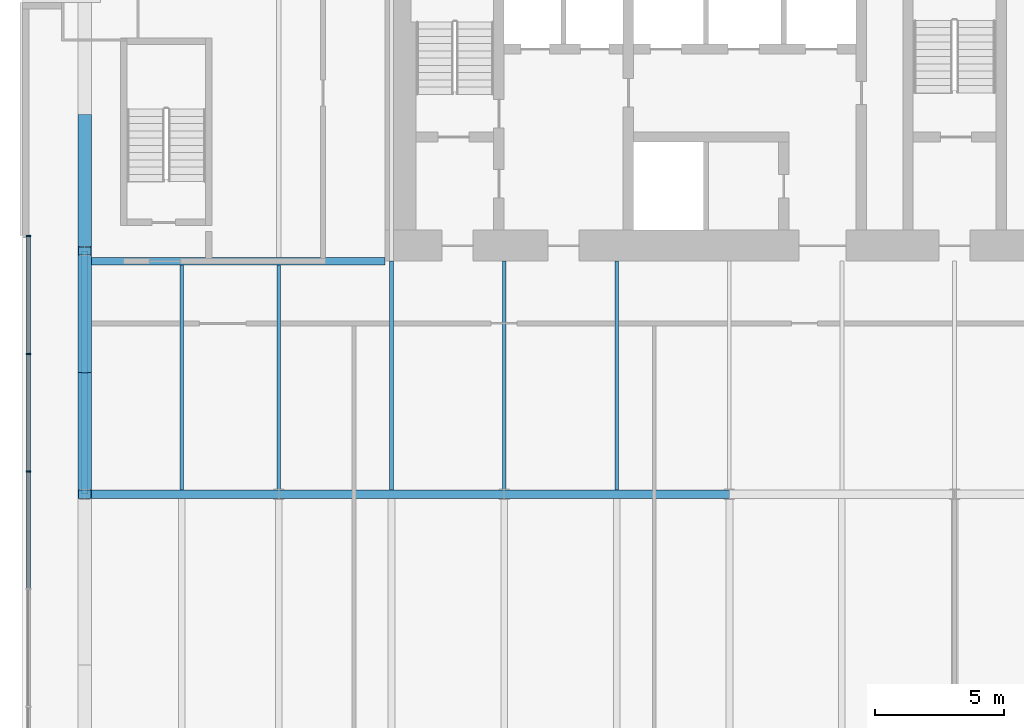
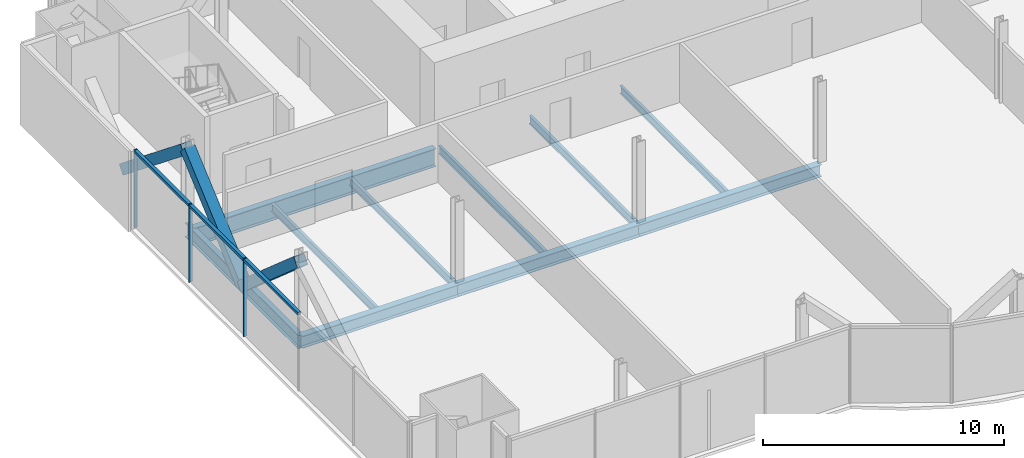
# One storey, part 6 of 21: 10 beams, 9 members, 1 element without a shape of its own.
"""IFC4 building model written with IfcOpenShell, lengths in metres."""

from ifc_helpers import new_model, si_unit, direction, frame, origin, origin_2d, place, context, subcontext, project, spatial, rectangle, hollow_rectangle, i_section, extrude, material, material_profile, profile_set, type_object, element, aggregate, save


model = new_model("IFC4")

# Units and contexts
model_context = context("Model", 3, precision=1e-05, world=origin(), true_north=direction((0.0, 1.0)))
body_context = subcontext(model_context, "Body", "Model", "MODEL_VIEW")
ifc_project = project(units=[si_unit("LENGTHUNIT", "METRE"), si_unit("AREAUNIT", "SQUARE_METRE"), si_unit("VOLUMEUNIT", "CUBIC_METRE"), si_unit("PLANEANGLEUNIT", "RADIAN"), si_unit("MASSUNIT", "GRAM", prefix="KILO")], contexts=[model_context])

# Site, building, storey
site_placement = place(None, origin())
site = spatial("IfcSite", under=ifc_project, at=site_placement, CompositionType="ELEMENT")
building_placement = place(site_placement, origin())
building = spatial("IfcBuilding", under=site, at=building_placement, Name="Bicima Exchange Tower", CompositionType="ELEMENT")
storey_placement = place(building_placement, frame((0.0, 0.0, 106.300048828125)))
storey = spatial("IfcBuildingStorey", under=building, at=storey_placement, Name="L22", CompositionType="ELEMENT", Elevation=106.300048828125)

# Beam
ifc_material_1 = material(Name="Steel ASTM A992 Gr 50", Category="steel")
ifc_material_profile_1 = material_profile(ifc_material_1, i_section(OverallWidth=0.3046875, OverallDepth=0.911865234375, WebThickness=0.015869140625, FlangeThickness=0.02392578125, at=origin_2d()))
ifc_profile_set_1 = profile_set([ifc_material_profile_1], Name="Steel ASTM A992 Gr 50")
beam_type_1 = type_object("IfcBeamType", Name="Core-line girder W36x150", PredefinedType="BEAM", material=ifc_profile_set_1)
beam_1_placement = place(storey_placement, frame((-22.0, -13.0, -0.60595703125), z_axis=(-1.0, 0.0, 0.0), x_axis=(0.0, -1.0, 0.0)))
element("IfcBeam", 1, at=beam_1_placement, inside=storey, type_object=beam_type_1, Name="Core-line girder", PredefinedType="BEAM", context=body_context, shape_type="SweptSolid", body=[
    extrude(i_section(OverallWidth=0.3046875, OverallDepth=0.911865234375, WebThickness=0.015869140625, FlangeThickness=0.02392578125, at=origin_2d()), origin(), (0.0, 0.0, 1.0), 11.60009765625),
])

# Curtain wall, members
ifc_material_2 = material(Name="Anodised bronze aluminium", Category="aluminium")
curtain_wall_type = type_object("IfcCurtainWallType", Name="End face glass wall", PredefinedType="NOTDEFINED", material=ifc_material_2)
curtain_wall_placement = place(storey_placement, origin())
curtain_wall = element("IfcCurtainWall", 2, at=curtain_wall_placement, inside=storey, type_object=curtain_wall_type, Name="End face glass wall L22 run 2", PredefinedType="NOTDEFINED")
ifc_material_profile_2 = material_profile(ifc_material_2, rectangle(XDim=0.159912109375, YDim=0.06005859375, at=origin_2d()))
ifc_profile_set_2 = profile_set([ifc_material_profile_2], Name="Anodised bronze aluminium")
member_type_1 = type_object("IfcMemberType", Name="End face glass wall mullion 60 x 160", PredefinedType="MULLION", material=ifc_profile_set_2)
member_1_placement = place(storey_placement, frame((-35.77001953125, -12.030029296875, 0.0), z_axis=(0.0, 0.0, 1.0), x_axis=(1.0, 0.0, 0.0)))
member_1 = element("IfcMember", 3, at=member_1_placement, type_object=member_type_1, Name="End face glass wall mullion 1", PredefinedType="MULLION", context=body_context, shape_type="SweptSolid", body=[
    extrude(rectangle(XDim=0.159912109375, YDim=0.06005859375, at=origin_2d()), origin(), (0.0, 0.0, 1.0), 3.949951171875),
])
member_2_placement = place(storey_placement, frame((-35.77001953125, -16.5751953125, 0.0), z_axis=(0.0, 0.0, 1.0), x_axis=(1.0, 0.0, 0.0)))
member_2 = element("IfcMember", 4, at=member_2_placement, type_object=member_type_1, Name="End face glass wall mullion 2", PredefinedType="MULLION", context=body_context, shape_type="SweptSolid", body=[
    extrude(rectangle(XDim=0.159912109375, YDim=0.06005859375, at=origin_2d()), origin(), (0.0, 0.0, 1.0), 3.949951171875),
])
member_3_placement = place(storey_placement, frame((-35.77001953125, -21.120361328125, 0.0), z_axis=(0.0, 0.0, 1.0), x_axis=(1.0, 0.0, 0.0)))
member_3 = element("IfcMember", 5, at=member_3_placement, type_object=member_type_1, Name="End face glass wall mullion 3", PredefinedType="MULLION", context=body_context, shape_type="SweptSolid", body=[
    extrude(rectangle(XDim=0.159912109375, YDim=0.06005859375, at=origin_2d()), origin(), (0.0, 0.0, 1.0), 3.949951171875),
])
ifc_material_profile_3 = material_profile(ifc_material_2, rectangle(XDim=0.159912109375, YDim=0.139892578125, at=origin_2d()))
ifc_profile_set_3 = profile_set([ifc_material_profile_3], Name="Anodised bronze aluminium")
member_type_2 = type_object("IfcMemberType", Name="End face glass wall transom 140 x 160", PredefinedType="USERDEFINED", material=ifc_profile_set_3)
member_4_placement = place(storey_placement, frame((-35.77001953125, -12.06005859375, 3.8798828125), z_axis=(0.0, -1.0, 0.0), x_axis=(1.0, 0.0, 0.0)))
member_4 = element("IfcMember", 6, at=member_4_placement, type_object=member_type_2, Name="End face glass wall transom 1.1", ObjectType="TRANSOM", PredefinedType="USERDEFINED", context=body_context, shape_type="SweptSolid", body=[
    extrude(rectangle(XDim=0.159912109375, YDim=0.139892578125, at=origin_2d()), origin(), (0.0, 0.0, 1.0), 4.485107421875),
])
member_5_placement = place(storey_placement, frame((-35.77001953125, -16.605224609375, 3.8798828125), z_axis=(0.0, -1.0, 0.0), x_axis=(1.0, 0.0, 0.0)))
member_5 = element("IfcMember", 7, at=member_5_placement, type_object=member_type_2, Name="End face glass wall transom 2.1", ObjectType="TRANSOM", PredefinedType="USERDEFINED", context=body_context, shape_type="SweptSolid", body=[
    extrude(rectangle(XDim=0.159912109375, YDim=0.139892578125, at=origin_2d()), origin(), (0.0, 0.0, 1.0), 4.485107421875),
])
member_6_placement = place(storey_placement, frame((-35.77001953125, -21.150390625, 3.8798828125), z_axis=(0.0, -1.0, 0.0), x_axis=(1.0, 0.0, 0.0)))
member_6 = element("IfcMember", 8, at=member_6_placement, type_object=member_type_2, Name="End face glass wall transom 3.1", ObjectType="TRANSOM", PredefinedType="USERDEFINED", context=body_context, shape_type="SweptSolid", body=[
    extrude(rectangle(XDim=0.159912109375, YDim=0.139892578125, at=origin_2d()), origin(), (0.0, 0.0, 1.0), 4.485107421875),
])
aggregate(curtain_wall, [member_1, member_2, member_3, member_4, member_5, member_6])

# Beams
ifc_material_profile_4 = material_profile(ifc_material_1, i_section(OverallWidth=0.256591796875, OverallDepth=0.693359375, WebThickness=0.014404296875, FlangeThickness=0.023681640625, at=origin_2d()))
ifc_profile_set_4 = profile_set([ifc_material_profile_4], Name="Steel ASTM A992 Gr 50")
beam_type_2 = type_object("IfcBeamType", Name="End girder W27x114", PredefinedType="BEAM", material=ifc_profile_set_4)
beam_2_placement = place(storey_placement, frame((-33.60009765625, -12.60009765625, -0.496826171875), z_axis=(0.0, -1.0, 0.0), x_axis=(1.0, 0.0, 0.0)))
element("IfcBeam", 9, at=beam_2_placement, inside=storey, type_object=beam_type_2, Name="End girder", PredefinedType="BEAM", context=body_context, shape_type="SweptSolid", body=[
    extrude(i_section(OverallWidth=0.256591796875, OverallDepth=0.693359375, WebThickness=0.014404296875, FlangeThickness=0.023681640625, at=origin_2d()), origin(), (0.0, 0.0, 1.0), 9.39990234375),
])
ifc_material_profile_5 = material_profile(ifc_material_1, i_section(OverallWidth=0.140380859375, OverallDepth=0.40380859375, WebThickness=0.007080078125, FlangeThickness=0.01123046875, at=origin_2d()))
ifc_profile_set_5 = profile_set([ifc_material_profile_5], Name="Steel ASTM A992 Gr 50")
beam_type_3 = type_object("IfcBeamType", Name="Floor beam W16x31", PredefinedType="JOIST", material=ifc_profile_set_5)
for number, where, z_axis, x_axis, name in (
    (10, (-29.85009765625, -13.15234375, -0.35205078125), (0.0, -1.0, 0.0), (1.0, 0.0, 0.0), "Floor beam"),
    (11, (-26.10009765625, -13.15234375, -0.35205078125), (0.0, -1.0, 0.0), (1.0, 0.0, 0.0), "Floor beam"),
):
    element("IfcBeam", number, at=place(storey_placement, frame(where, z_axis=z_axis, x_axis=x_axis)), inside=storey, type_object=beam_type_3, Name=name, PredefinedType="JOIST", context=body_context, shape_type="SweptSolid", body=[
        extrude(i_section(OverallWidth=0.140380859375, OverallDepth=0.40380859375, WebThickness=0.007080078125, FlangeThickness=0.01123046875, at=origin_2d()), origin(), (0.0, 0.0, 1.0), 8.68505859375),
    ])
for number, where, z_axis, x_axis, name in (
    (12, (-21.75, -13.0, -0.35205078125), (0.0, -1.0, 0.0), (1.0, 0.0, 0.0), "Floor beam"),
    (13, (-17.39990234375, -13.0, -0.35205078125), (0.0, -1.0, 0.0), (1.0, 0.0, 0.0), "Floor beam"),
    (14, (-13.050048828125, -13.0, -0.35205078125), (0.0, -1.0, 0.0), (1.0, 0.0, 0.0), "Floor beam"),
):
    element("IfcBeam", number, at=place(storey_placement, frame(where, z_axis=z_axis, x_axis=x_axis)), inside=storey, type_object=beam_type_3, Name=name, PredefinedType="JOIST", context=body_context, shape_type="SweptSolid", body=[
        extrude(i_section(OverallWidth=0.140380859375, OverallDepth=0.40380859375, WebThickness=0.007080078125, FlangeThickness=0.01123046875, at=origin_2d()), origin(), (0.0, 0.0, 1.0), 8.83740234375),
    ])

# Members
ifc_material_3 = material(Name="Steel ASTM A572 Gr 50", Category="steel")
ifc_material_profile_6 = material_profile(ifc_material_3, hollow_rectangle(XDim=0.508056640625, YDim=0.508056640625, WallThickness=0.0146484375, at=origin_2d()))
ifc_profile_set_6 = profile_set([ifc_material_profile_6], Name="Steel ASTM A572 Gr 50")
member_type_3 = type_object("IfcMemberType", Name="Mega brace HSS20x20x5/8", PredefinedType="BRACE", material=ifc_profile_set_6)
member_7_placement = place(storey_placement, frame((-33.60009765625, -7.5, -0.496826171875), z_axis=(0.0, -0.779374241895, 0.626558689247), x_axis=(1.0, 0.0, 0.0)))
element("IfcMember", 15, at=member_7_placement, inside=storey, type_object=member_type_3, Name="Mega brace west end", PredefinedType="BRACE", context=body_context, shape_type="SweptSolid", body=[
    extrude(hollow_rectangle(XDim=0.508056640625, YDim=0.508056640625, WallThickness=0.0146484375, at=origin_2d()), origin(), (0.0, 0.0, 1.0), 6.5439453125),
])
for number, where, z_axis, x_axis, name in (
    (16, (-33.60009765625, -17.300048828125, -0.496826171875), (0.0, -0.753557917662, 0.657381521439), (1.0, 0.0, 0.0), "Mega brace west end"),
    (17, (-33.60009765625, -17.300048828125, -0.496826171875), (0.0, 0.753557917662, 0.657381521439), (-1.0, 0.0, 0.0), "Mega brace west end"),
):
    element("IfcMember", number, at=place(storey_placement, frame(where, z_axis=z_axis, x_axis=x_axis)), inside=storey, type_object=member_type_3, Name=name, PredefinedType="BRACE", context=body_context, shape_type="SweptSolid", body=[
        extrude(hollow_rectangle(XDim=0.508056640625, YDim=0.508056640625, WallThickness=0.0146484375, at=origin_2d()), origin(), (0.0, 0.0, 1.0), 6.237060546875),
    ])

# Beams
ifc_material_profile_7 = material_profile(ifc_material_1, i_section(OverallWidth=0.3251953125, OverallDepth=0.612060546875, WebThickness=0.0126953125, FlangeThickness=0.01904296875, at=origin_2d()))
ifc_profile_set_7 = profile_set([ifc_material_profile_7], Name="Steel ASTM A992 Gr 50")
beam_type_4 = type_object("IfcBeamType", Name="Row girder W24x104", PredefinedType="BEAM", material=ifc_profile_set_7)
beam_3_placement = place(storey_placement, frame((-33.60009765625, -22.0, -0.4560546875), z_axis=(1.0, 0.0, 0.0), x_axis=(0.0, 1.0, 0.0)))
element("IfcBeam", 18, at=beam_3_placement, inside=storey, type_object=beam_type_4, Name="Row girder", PredefinedType="BEAM", context=body_context, shape_type="SweptSolid", body=[
    extrude(i_section(OverallWidth=0.3251953125, OverallDepth=0.612060546875, WebThickness=0.0126953125, FlangeThickness=0.01904296875, at=origin_2d()), origin(), (0.0, 0.0, 1.0), 7.5),
])
beam_4_placement = place(storey_placement, frame((-26.10009765625, -22.0, -0.4560546875), z_axis=(1.0, 0.0, 0.0), x_axis=(0.0, 1.0, 0.0)))
element("IfcBeam", 19, at=beam_4_placement, inside=storey, type_object=beam_type_4, Name="Row girder", PredefinedType="BEAM", context=body_context, shape_type="SweptSolid", body=[
    extrude(i_section(OverallWidth=0.3251953125, OverallDepth=0.612060546875, WebThickness=0.0126953125, FlangeThickness=0.01904296875, at=origin_2d()), origin(), (0.0, 0.0, 1.0), 8.7001953125),
])
beam_5_placement = place(storey_placement, frame((-17.39990234375, -22.0, -0.4560546875), z_axis=(1.0, 0.0, 0.0), x_axis=(0.0, 1.0, 0.0)))
element("IfcBeam", 20, at=beam_5_placement, inside=storey, type_object=beam_type_4, Name="Row girder", PredefinedType="BEAM", context=body_context, shape_type="SweptSolid", body=[
    extrude(i_section(OverallWidth=0.3251953125, OverallDepth=0.612060546875, WebThickness=0.0126953125, FlangeThickness=0.01904296875, at=origin_2d()), origin(), (0.0, 0.0, 1.0), 8.699951171875),
])

save(model, "model.ifc")
